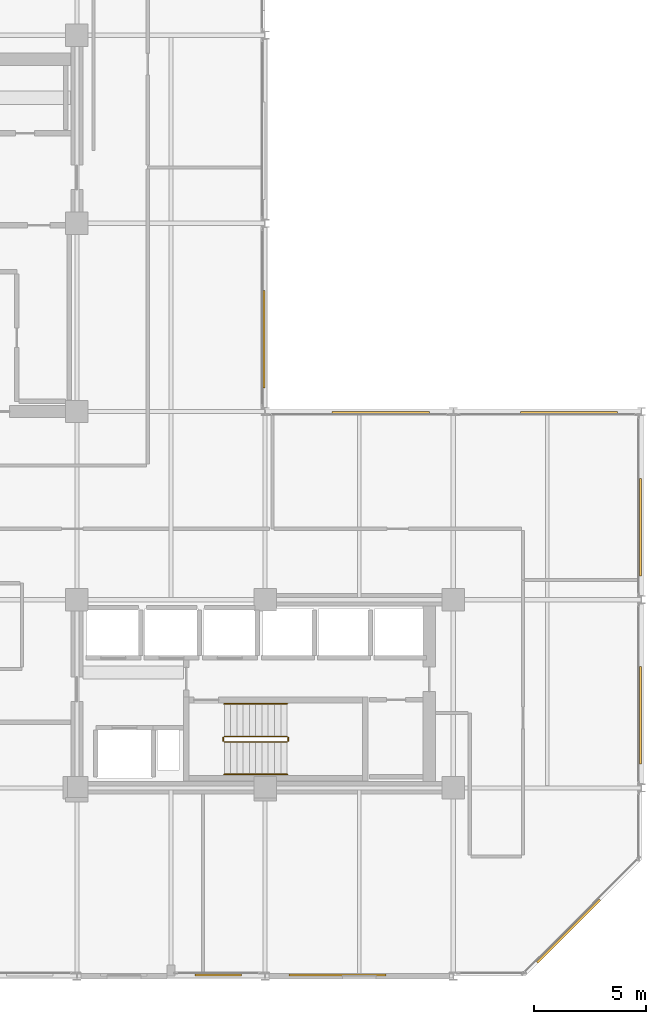
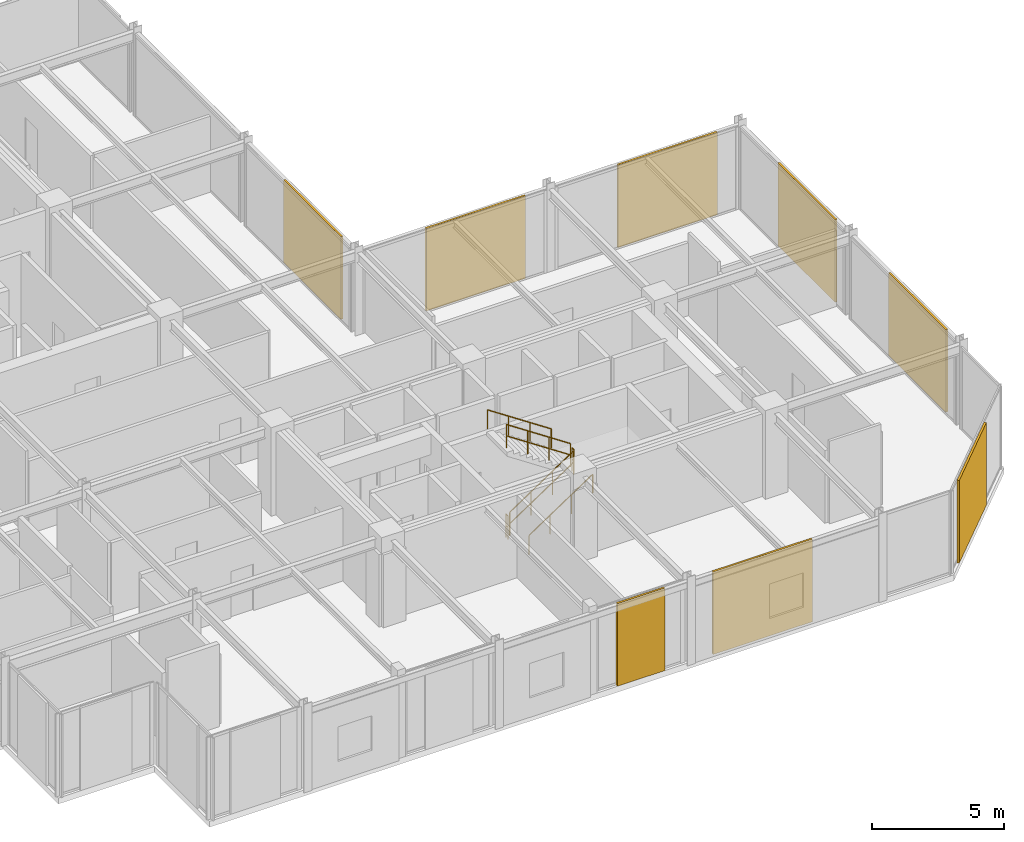
# One storey, part 28 of 29: 8 coverings, 6 railings.
"""IFC4 building model written with IfcOpenShell, lengths in metres."""

from ifc_helpers import new_model, si_unit, direction, frame, origin, origin_2d, place, context, subcontext, project, spatial, rectangle, circle, extrude, material, layer, layer_set, type_object, element, save


model = new_model("IFC4")

# Units and contexts
model_context = context("Model", 3, precision=1e-05, world=origin(), true_north=direction((0.0, 1.0)))
body_context = subcontext(model_context, "Body", "Model", "MODEL_VIEW")
ifc_project = project(units=[si_unit("LENGTHUNIT", "METRE"), si_unit("AREAUNIT", "SQUARE_METRE"), si_unit("VOLUMEUNIT", "CUBIC_METRE"), si_unit("PLANEANGLEUNIT", "RADIAN"), si_unit("MASSUNIT", "GRAM", prefix="KILO")], contexts=[model_context])

# Site, building, storey
site_placement = place(None, origin())
site = spatial("IfcSite", under=ifc_project, at=site_placement, CompositionType="ELEMENT")
building_placement = place(site_placement, origin())
building = spatial("IfcBuilding", under=site, at=building_placement, Name="Nerrivon Quay Data Exchange", CompositionType="ELEMENT")
storey_placement = place(building_placement, frame((0.0, 0.0, 196.0)))
storey = spatial("IfcBuildingStorey", under=building, at=storey_placement, Name="L46", CompositionType="ELEMENT", Elevation=196.0)

# Coverings
ifc_material_1 = material(Name="Architectural terracotta ceramic", Category="masonry")
ifc_layer = layer(ifc_material_1, 0.090087890625)
ifc_layer_set = layer_set([ifc_layer], Name="Architectural terracotta ceramic")
covering_type = type_object("IfcCoveringType", Name="COV-SCR-TERR", PredefinedType="CLADDING", material=ifc_layer_set)
for number, where, z_axis, x_axis, name in (
    (1, (25.155029296875, 28.43408203125, 0.0), (0.0, 0.0, 1.0), (0.0, -1.0, 0.0), "L46 Perforated Terracotta SOLAR SCREEN Cassette"),
    (2, (30.365966796875, 25.155029296875, 0.0), (0.0, 0.0, 1.0), (1.0, 0.0, 0.0), "L46 Perforated Terracotta SOLAR SCREEN Cassette"),
    (3, (38.76611328125, 25.155029296875, 0.0), (0.0, 0.0, 1.0), (1.0, 0.0, 0.0), "L46 Perforated Terracotta SOLAR SCREEN Cassette"),
    (4, (41.955078125, 20.033935546875, 0.0), (0.0, 0.0, 1.0), (0.0, -1.0, 0.0), "L46 Perforated Terracotta SOLAR SCREEN Cassette"),
    (5, (41.955078125, 11.634033203125, 0.0), (0.0, 0.0, 1.0), (0.0, -1.0, 0.0), "L46 Perforated Terracotta SOLAR SCREEN Cassette"),
):
    element("IfcCovering", number, at=place(storey_placement, frame(where, z_axis=z_axis, x_axis=x_axis)), inside=storey, type_object=covering_type, Name=name, PredefinedType="CLADDING", context=body_context, shape_type="SweptSolid", body=[
        extrude(rectangle(XDim=4.346923828125, YDim=0.090087890625, at=origin_2d()), origin(), (0.0, 0.0, 1.0), 3.824951171875),
    ])
covering_1_placement = place(storey_placement, frame((38.744140625, 2.0078125, 0.0), z_axis=(0.0, 0.0, 1.0), x_axis=(-0.707106781187, -0.707106781187, 0.0)))
element("IfcCovering", 6, at=covering_1_placement, inside=storey, type_object=covering_type, Name="L46 Perforated Terracotta SOLAR SCREEN Cassette", PredefinedType="CLADDING", context=body_context, shape_type="SweptSolid", body=[
    extrude(rectangle(XDim=3.970947265625, YDim=0.090087890625, at=origin_2d()), origin(), (0.0, 0.0, 1.0), 3.824951171875),
])
covering_2_placement = place(storey_placement, frame((28.43408203125, 0.044921875, 0.0), z_axis=(0.0, 0.0, 1.0), x_axis=(-1.0, 0.0, 0.0)))
element("IfcCovering", 7, at=covering_2_placement, inside=storey, type_object=covering_type, Name="L46 Perforated Terracotta SOLAR SCREEN Cassette", PredefinedType="CLADDING", context=body_context, shape_type="SweptSolid", body=[
    extrude(rectangle(XDim=4.346923828125, YDim=0.090087890625, at=origin_2d()), origin(), (0.0, 0.0, 1.0), 3.824951171875),
])
covering_3_placement = place(storey_placement, frame((23.10009765625, 0.044921875, 0.0), z_axis=(0.0, 0.0, 1.0), x_axis=(-1.0, 0.0, 0.0)))
element("IfcCovering", 8, at=covering_3_placement, inside=storey, type_object=covering_type, Name="L46 Perforated Terracotta SOLAR SCREEN Cassette", PredefinedType="CLADDING", context=body_context, shape_type="SweptSolid", body=[
    extrude(rectangle(XDim=2.0791015625, YDim=0.090087890625, at=origin_2d()), origin(), (0.0, 0.0, 1.0), 3.824951171875),
])

# Railings
ifc_material_2 = material(Name="Steel Grade C350L0 (350 MPa)", Category="steel")
railing_type_1 = type_object("IfcRailingType", Name="RAIL-HAND-HR1", PredefinedType="HANDRAIL", material=ifc_material_2)
railing_1_placement = place(storey_placement, frame((23.3798828125, 9.0, 0.186279296875)))
element("IfcRailing", 9, at=railing_1_placement, inside=storey, type_object=railing_type_1, Name="L46 ST02 stair handrail 1", PredefinedType="HANDRAIL", context=body_context, shape_type="SweptSolid", body=[
    extrude(circle(Radius=0.02392578125, at=origin_2d()), frame((0.0, 0.0, 0.8759765625), z_axis=(0.832452072856, 0.0, 0.554097055034), x_axis=(0.0, 1.0, 0.0)), (0.0, 0.0, 1.0), 3.363525390625),
    extrude(circle(Radius=0.02099609375, at=origin_2d()), origin(), (0.0, 0.0, 1.0), 0.851806640625),
    extrude(circle(Radius=0.02099609375, at=origin_2d()), frame((0.933349609375, 0.0, 0.621337890625)), (0.0, 0.0, 1.0), 0.851806640625),
    extrude(circle(Radius=0.02099609375, at=origin_2d()), frame((1.86669921875, 0.0, 1.242431640625)), (0.0, 0.0, 1.0), 0.851806640625),
    extrude(circle(Radius=0.02099609375, at=origin_2d()), frame((2.800048828125, 0.0, 1.86376953125)), (0.0, 0.0, 1.0), 0.851806640625),
])
railing_2_placement = place(storey_placement, frame((26.179931640625, 12.14990234375, 2.236328125)))
element("IfcRailing", 10, at=railing_2_placement, inside=storey, type_object=railing_type_1, Name="L46 ST02 stair handrail 2", PredefinedType="HANDRAIL", context=body_context, shape_type="SweptSolid", body=[
    extrude(circle(Radius=0.02392578125, at=origin_2d()), frame((0.0, 0.0, 0.8759765625), z_axis=(-0.832452072856, 0.0, 0.554097055034), x_axis=(0.0, -1.0, 0.0)), (0.0, 0.0, 1.0), 3.363525390625),
    extrude(circle(Radius=0.02099609375, at=origin_2d()), origin(), (0.0, 0.0, 1.0), 0.851806640625),
    extrude(circle(Radius=0.02099609375, at=origin_2d()), frame((-0.933349609375, 0.0, 0.621337890625)), (0.0, 0.0, 1.0), 0.851806640625),
    extrude(circle(Radius=0.02099609375, at=origin_2d()), frame((-1.86669921875, 0.0, 1.242431640625)), (0.0, 0.0, 1.0), 0.851806640625),
    extrude(circle(Radius=0.02099609375, at=origin_2d()), frame((-2.800048828125, 0.0, 1.86376953125)), (0.0, 0.0, 1.0), 0.851806640625),
])
railing_type_2 = type_object("IfcRailingType", Name="RAIL-STAIR-GR1", PredefinedType="BALUSTRADE", material=ifc_material_2)
railing_3_placement = place(storey_placement, frame((23.3798828125, 10.449951171875, 0.186279296875)))
element("IfcRailing", 11, at=railing_3_placement, inside=storey, type_object=railing_type_2, Name="L46 ST02 stair guard 1", PredefinedType="BALUSTRADE", context=body_context, shape_type="SweptSolid", body=[
    extrude(circle(Radius=0.02392578125, at=origin_2d()), frame((0.0, 0.0, 1.076171875), z_axis=(0.832452072856, 0.0, 0.554097055034), x_axis=(0.0, 1.0, 0.0)), (0.0, 0.0, 1.0), 3.363525390625),
    extrude(circle(Radius=0.02392578125, at=origin_2d()), frame((0.0, 0.0, 0.550048828125), z_axis=(0.832452072856, 0.0, 0.554097055034), x_axis=(0.0, 1.0, 0.0)), (0.0, 0.0, 1.0), 3.363525390625),
    extrude(circle(Radius=0.02099609375, at=origin_2d()), origin(), (0.0, 0.0, 1.0), 1.052001953125),
    extrude(circle(Radius=0.02099609375, at=origin_2d()), frame((0.933349609375, 0.0, 0.621337890625)), (0.0, 0.0, 1.0), 1.052001953125),
    extrude(circle(Radius=0.02099609375, at=origin_2d()), frame((1.86669921875, 0.0, 1.242431640625)), (0.0, 0.0, 1.0), 1.052001953125),
    extrude(circle(Radius=0.02099609375, at=origin_2d()), frame((2.800048828125, 0.0, 1.86376953125)), (0.0, 0.0, 1.0), 1.052001953125),
])
railing_4_placement = place(storey_placement, frame((26.22998046875, 10.5, 2.050048828125)))
element("IfcRailing", 12, at=railing_4_placement, inside=storey, type_object=railing_type_2, Name="L46 ST02 stair guard 2", PredefinedType="BALUSTRADE", context=body_context, shape_type="SweptSolid", body=[
    extrude(circle(Radius=0.02392578125, at=origin_2d()), frame((0.0, 0.0, 1.076171875), z_axis=(0.0, 1.0, 0.0), x_axis=(-1.0, 0.0, 0.0)), (0.0, 0.0, 1.0), 0.14990234375),
    extrude(circle(Radius=0.02392578125, at=origin_2d()), frame((0.0, 0.0, 0.550048828125), z_axis=(0.0, 1.0, 0.0), x_axis=(-1.0, 0.0, 0.0)), (0.0, 0.0, 1.0), 0.14990234375),
    extrude(circle(Radius=0.02099609375, at=origin_2d()), origin(), (0.0, 0.0, 1.0), 1.052001953125),
    extrude(circle(Radius=0.02099609375, at=origin_2d()), frame((0.0, 0.14990234375, 0.0)), (0.0, 0.0, 1.0), 1.052001953125),
])
railing_5_placement = place(storey_placement, frame((26.179931640625, 10.699951171875, 2.236328125)))
element("IfcRailing", 13, at=railing_5_placement, inside=storey, type_object=railing_type_2, Name="L46 ST02 stair guard 3", PredefinedType="BALUSTRADE", context=body_context, shape_type="SweptSolid", body=[
    extrude(circle(Radius=0.02392578125, at=origin_2d()), frame((0.0, 0.0, 1.076171875), z_axis=(-0.832452072856, 0.0, 0.554097055034), x_axis=(0.0, -1.0, 0.0)), (0.0, 0.0, 1.0), 3.363525390625),
    extrude(circle(Radius=0.02392578125, at=origin_2d()), frame((0.0, 0.0, 0.550048828125), z_axis=(-0.832452072856, 0.0, 0.554097055034), x_axis=(0.0, -1.0, 0.0)), (0.0, 0.0, 1.0), 3.363525390625),
    extrude(circle(Radius=0.02099609375, at=origin_2d()), origin(), (0.0, 0.0, 1.0), 1.052001953125),
    extrude(circle(Radius=0.02099609375, at=origin_2d()), frame((-0.933349609375, 0.0, 0.621337890625)), (0.0, 0.0, 1.0), 1.052001953125),
    extrude(circle(Radius=0.02099609375, at=origin_2d()), frame((-1.86669921875, 0.0, 1.242431640625)), (0.0, 0.0, 1.0), 1.052001953125),
    extrude(circle(Radius=0.02099609375, at=origin_2d()), frame((-2.800048828125, 0.0, 1.86376953125)), (0.0, 0.0, 1.0), 1.052001953125),
])
railing_6_placement = place(storey_placement, frame((23.330078125, 10.5, 0.0)))
element("IfcRailing", 14, at=railing_6_placement, inside=storey, type_object=railing_type_2, Name="L46 ST02 stair guard 4", PredefinedType="BALUSTRADE", context=body_context, shape_type="SweptSolid", body=[
    extrude(circle(Radius=0.02392578125, at=origin_2d()), frame((0.0, 0.0, 1.076171875), z_axis=(0.0, 1.0, 0.0), x_axis=(-1.0, 0.0, 0.0)), (0.0, 0.0, 1.0), 0.14990234375),
    extrude(circle(Radius=0.02392578125, at=origin_2d()), frame((0.0, 0.0, 0.550048828125), z_axis=(0.0, 1.0, 0.0), x_axis=(-1.0, 0.0, 0.0)), (0.0, 0.0, 1.0), 0.14990234375),
    extrude(circle(Radius=0.02099609375, at=origin_2d()), origin(), (0.0, 0.0, 1.0), 1.052001953125),
    extrude(circle(Radius=0.02099609375, at=origin_2d()), frame((0.0, 0.14990234375, 0.0)), (0.0, 0.0, 1.0), 1.052001953125),
])

save(model, "model.ifc")
